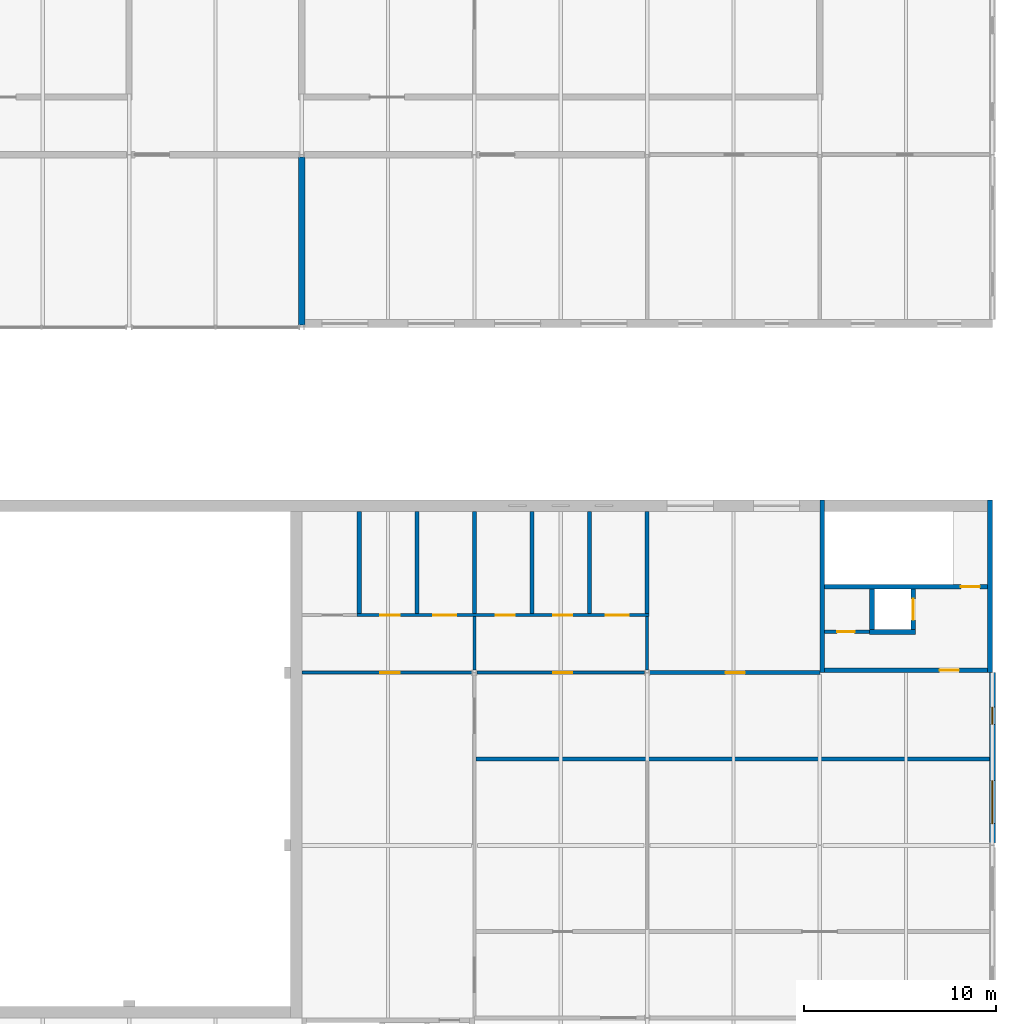
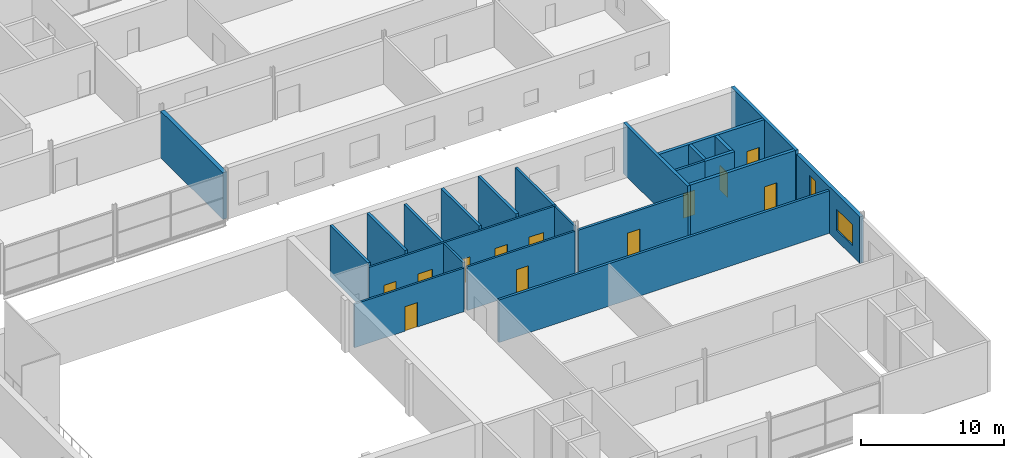
# One storey, part 129 of 138: 23 walls, 12 doors, 2 windows, 14 openings.
"""IFC4 building model written with IfcOpenShell, lengths in metres."""

from ifc_helpers import new_model, si_unit, direction, frame, frame_2d, origin, place, context, subcontext, project, spatial, rectangle, extrude, material, layer, layer_set, type_object, element, fill, save


model = new_model("IFC4")

# Units and contexts
model_context = context("Model", 3, precision=1e-05, world=origin(), true_north=direction((0.0, 1.0)))
body_context = subcontext(model_context, "Body", "Model", "MODEL_VIEW")
ifc_project = project(units=[si_unit("LENGTHUNIT", "METRE"), si_unit("AREAUNIT", "SQUARE_METRE"), si_unit("VOLUMEUNIT", "CUBIC_METRE"), si_unit("PLANEANGLEUNIT", "RADIAN"), si_unit("MASSUNIT", "GRAM", prefix="KILO")], contexts=[model_context])

# Site, building, storey
site_placement = place(None, origin())
site = spatial("IfcSite", under=ifc_project, at=site_placement, CompositionType="ELEMENT")
building_placement = place(site_placement, origin())
building = spatial("IfcBuilding", under=site, at=building_placement, Name="Corbel Yard City Hall", CompositionType="ELEMENT")
storey_placement = place(building_placement, frame((0.0, 0.0, 10.5)))
storey = spatial("IfcBuildingStorey", under=building, at=storey_placement, Name="L02", CompositionType="ELEMENT", Elevation=10.5)

# Walls
ifc_material_1 = material(Name="Concrete N50 (50 MPa)", Category="concrete")
ifc_layer_1 = layer(ifc_material_1, 0.25)
ifc_layer_set_1 = layer_set([ifc_layer_1], Name="Concrete N50 (50 MPa)")
wall_type_1 = type_object("IfcWallType", Name="Core cell wall 250", PredefinedType="SHEAR", material=ifc_layer_set_1)
for number, where, z_axis, x_axis, name in (
    (1, (171.125, 72.0, 0.0), (0.0, 0.0, 1.0), (0.0, 1.0, 0.0), "Core PC-M8 west wall"),
    (2, (179.875, 72.0, 0.0), (0.0, 0.0, 1.0), (0.0, 1.0, 0.0), "Core PC-M8 east wall"),
):
    element("IfcWall", number, at=place(storey_placement, frame(where, z_axis=z_axis, x_axis=x_axis)), inside=storey, type_object=wall_type_1, Name=name, PredefinedType="SHEAR", context=body_context, shape_type="SweptSolid", body=[
        extrude(rectangle(XDim=9.0, YDim=0.25, at=frame_2d((4.5, 0.0))), origin(), (0.0, 0.0, 1.0), 4.35009765625),
    ])

# Wall, opening, door
wall_1_placement = place(storey_placement, frame((171.25, 72.125, 0.0), z_axis=(0.0, 0.0, 1.0), x_axis=(1.0, 0.0, 0.0)))
wall_1 = element("IfcWall", 3, at=wall_1_placement, inside=storey, type_object=wall_type_1, Name="Core PC-M8 south wall", PredefinedType="SHEAR", context=body_context, shape_type="SweptSolid", body=[
    extrude(rectangle(XDim=8.5, YDim=0.25, at=frame_2d((4.25, 0.0))), origin(), (0.0, 0.0, 1.0), 4.35009765625),
])
opening_1_placement = place(wall_1_placement, frame((6.0, 0.0, 0.0)))
opening_1 = element("IfcOpeningElement", 4, at=opening_1_placement, cuts=wall_1, Name="Opening L02-109", PredefinedType="OPENING", context=body_context, shape_type="SweptSolid", body=[
    extrude(rectangle(XDim=1.0, YDim=2.10009765625, at=frame_2d((0.5, 1.050048828125))), frame((0.0, 0.135009765625, 0.0), z_axis=(0.0, -1.0, 0.0), x_axis=(1.0, 0.0, 0.0)), (0.0, 0.0, 1.0), 0.27001953125),
])
ifc_material_2 = material(Name="Steel Grade G250", Category="steel")
door_type_1 = type_object("IfcDoorType", Name="FS1", OperationType="SINGLE_SWING_LEFT", PredefinedType="DOOR", material=ifc_material_2)
door_1_placement = place(opening_1_placement, origin())
door_1 = element("IfcDoor", 5, at=door_1_placement, inside=storey, type_object=door_type_1, Name="Door Lift Lobby", OperationType="SINGLE_SWING_RIGHT", OverallHeight=2.10009765625, OverallWidth=1.0, PredefinedType="DOOR", context=body_context, shape_type="SweptSolid", body=[
    extrude(rectangle(XDim=1.0, YDim=2.10009765625, at=frame_2d((0.5, 1.050048828125))), frame((0.0, 0.02490234375, 0.0), z_axis=(0.0, -1.0, 0.0), x_axis=(1.0, 0.0, 0.0)), (0.0, 0.0, 1.0), 0.050048828125),
])
fill(opening_1, door_1)

# Wall, openings, windows
ifc_material_3 = material(Name="Sandstone cladding", Category="masonry")
ifc_layer_2 = layer(ifc_material_3, 0.0400390625)
ifc_material_4 = material(Name="Air cavity", Category="air")
ifc_layer_3 = layer(ifc_material_4, 0.0400390625)
ifc_material_5 = material(Name="Concrete block", Category="concrete")
ifc_layer_4 = layer(ifc_material_5, 0.18994140625)
ifc_material_6 = material(Name="Gypsum plasterboard", Category="gypsum")
ifc_layer_5 = layer(ifc_material_6, 0.030029296875)
ifc_layer_set_2 = layer_set([ifc_layer_2, ifc_layer_3, ifc_layer_4, ifc_layer_5], Name="Concrete block")
wall_type_2 = type_object("IfcWallType", Name="EW1", PredefinedType="SOLIDWALL", material=ifc_layer_set_2)
wall_2_placement = place(storey_placement, frame((180.0, 63.126953125, 0.0), z_axis=(0.0, 0.0, 1.0), x_axis=(0.0, 1.0, 0.0)))
wall_2 = element("IfcWall", 6, at=wall_2_placement, inside=storey, type_object=wall_type_2, Name="External wall", PredefinedType="SOLIDWALL", context=body_context, shape_type="SweptSolid", body=[
    extrude(rectangle(XDim=8.873046875, YDim=0.300048828125, at=frame_2d((4.4365234375, 0.0))), origin(), (0.0, 0.0, 1.0), 3.990966796875),
])
opening_2_placement = place(wall_2_placement, frame((0.998046875, 0.0, 0.89990234375)))
opening_2 = element("IfcOpeningElement", 7, at=opening_2_placement, cuts=wall_2, Name="Opening WN15", PredefinedType="OPENING", context=body_context, shape_type="SweptSolid", body=[
    extrude(rectangle(XDim=2.25, YDim=1.800048828125, at=frame_2d((1.125, 0.89990234375))), frame((0.0, 0.159912109375, 0.0), z_axis=(0.0, -1.0, 0.0), x_axis=(1.0, 0.0, 0.0)), (0.0, 0.0, 1.0), 0.320068359375),
])
opening_3_placement = place(wall_2_placement, frame((6.173095703125, 0.0, 0.60009765625)))
opening_3 = element("IfcOpeningElement", 8, at=opening_3_placement, cuts=wall_2, Name="Opening WN14", PredefinedType="OPENING", context=body_context, shape_type="SweptSolid", body=[
    extrude(rectangle(XDim=0.89990234375, YDim=2.699951171875, at=frame_2d((0.449951171875, 1.35009765625))), frame((0.0, 0.159912109375, 0.0), z_axis=(0.0, -1.0, 0.0), x_axis=(1.0, 0.0, 0.0)), (0.0, 0.0, 1.0), 0.320068359375),
])
ifc_material_7 = material(Name="Aluminium frame, double glazed low-e glass", Category="aluminium")
window_type_1 = type_object("IfcWindowType", Name="WN14", PartitioningType="SINGLE_PANEL", PredefinedType="WINDOW", material=ifc_material_7)
window_1_placement = place(opening_3_placement, origin())
window_1 = element("IfcWindow", 9, at=window_1_placement, inside=storey, type_object=window_type_1, Name="Window WN14 L02", OverallHeight=2.699951171875, OverallWidth=0.89990234375, PartitioningType="SINGLE_PANEL", PredefinedType="WINDOW", context=body_context, shape_type="SweptSolid", body=[
    extrude(rectangle(XDim=0.89990234375, YDim=2.699951171875, at=frame_2d((0.449951171875, 1.35009765625))), frame((0.0, 0.030029296875, 0.0), z_axis=(0.0, -1.0, 0.0), x_axis=(1.0, 0.0, 0.0)), (0.0, 0.0, 1.0), 0.06005859375),
])
fill(opening_3, window_1)
window_type_2 = type_object("IfcWindowType", Name="WN15", PartitioningType="SINGLE_PANEL", PredefinedType="WINDOW", material=ifc_material_7)
window_2_placement = place(opening_2_placement, origin())
window_2 = element("IfcWindow", 10, at=window_2_placement, inside=storey, type_object=window_type_2, Name="Window WN15 L02", OverallHeight=1.800048828125, OverallWidth=2.25, PartitioningType="SINGLE_PANEL", PredefinedType="WINDOW", context=body_context, shape_type="SweptSolid", body=[
    extrude(rectangle(XDim=2.25, YDim=1.800048828125, at=frame_2d((1.125, 0.89990234375))), frame((0.0, 0.030029296875, 0.0), z_axis=(0.0, -1.0, 0.0), x_axis=(1.0, 0.0, 0.0)), (0.0, 0.0, 1.0), 0.06005859375),
])
fill(opening_2, window_2)

# Wall, opening, door
ifc_material_8 = material(Name="Concrete N40 (40 MPa)", Category="concrete")
ifc_layer_6 = layer(ifc_material_8, 0.25)
ifc_layer_set_3 = layer_set([ifc_layer_6], Name="Concrete N40 (40 MPa)")
wall_type_3 = type_object("IfcWallType", Name="IW2", PredefinedType="SOLIDWALL", material=ifc_layer_set_3)
wall_3_placement = place(storey_placement, frame((179.75, 76.47509765625, 0.0), z_axis=(0.0, 0.0, 1.0), x_axis=(-1.0, 0.0, 0.0)))
wall_3 = element("IfcWall", 11, at=wall_3_placement, inside=storey, type_object=wall_type_3, Name="Stair enclosure wall", PredefinedType="SOLIDWALL", context=body_context, shape_type="SweptSolid", body=[
    extrude(rectangle(XDim=8.5, YDim=0.25, at=frame_2d((4.25, 0.0))), origin(), (0.0, 0.0, 1.0), 4.35009765625),
])
opening_4_placement = place(wall_3_placement, frame((0.39990234375, 0.0, 0.0)))
opening_4 = element("IfcOpeningElement", 12, at=opening_4_placement, cuts=wall_3, Name="Opening L02-108", PredefinedType="OPENING", context=body_context, shape_type="SweptSolid", body=[
    extrude(rectangle(XDim=1.0, YDim=2.10009765625, at=frame_2d((0.5, 1.050048828125))), frame((0.0, 0.135009765625, 0.0), z_axis=(0.0, -1.0, 0.0), x_axis=(1.0, 0.0, 0.0)), (0.0, 0.0, 1.0), 0.27001953125),
])
door_2_placement = place(opening_4_placement, frame((1.0, 0.0, 0.0), z_axis=(0.0, 0.0, 1.0), x_axis=(-1.0, 0.0, 0.0)))
door_2 = element("IfcDoor", 13, at=door_2_placement, inside=storey, type_object=door_type_1, Name="Door Exit Stair 15", OperationType="SINGLE_SWING_RIGHT", OverallHeight=2.10009765625, OverallWidth=1.0, PredefinedType="DOOR", context=body_context, shape_type="SweptSolid", body=[
    extrude(rectangle(XDim=1.0, YDim=2.10009765625, at=frame_2d((0.5, 1.050048828125))), frame((0.0, 0.02490234375, 0.0), z_axis=(0.0, -1.0, 0.0), x_axis=(1.0, 0.0, 0.0)), (0.0, 0.0, 1.0), 0.050048828125),
])
fill(opening_4, door_2)

# Walls
wall_4_placement = place(storey_placement, frame((173.60009765625, 74.125, 0.0), z_axis=(0.0, 0.0, 1.0), x_axis=(1.0, 0.0, 0.0)))
element("IfcWall", 14, at=wall_4_placement, inside=storey, type_object=wall_type_3, Name="Lift LP15 shaft wall", PredefinedType="SOLIDWALL", context=body_context, shape_type="SweptSolid", body=[
    extrude(rectangle(XDim=2.39990234375, YDim=0.25, at=frame_2d((1.199951171875, 0.0))), origin(), (0.0, 0.0, 1.0), 4.35009765625),
])
wall_5_placement = place(storey_placement, frame((173.72509765625, 74.25, 0.0), z_axis=(0.0, 0.0, 1.0), x_axis=(0.0, 1.0, 0.0)))
element("IfcWall", 15, at=wall_5_placement, inside=storey, type_object=wall_type_3, Name="Lift LP15 shaft wall", PredefinedType="SOLIDWALL", context=body_context, shape_type="SweptSolid", body=[
    extrude(rectangle(XDim=2.10009765625, YDim=0.25, at=frame_2d((1.050048828125, 0.0))), origin(), (0.0, 0.0, 1.0), 4.35009765625),
])

# Wall, opening, door
wall_6_placement = place(storey_placement, frame((175.875, 74.25, 0.0), z_axis=(0.0, 0.0, 1.0), x_axis=(0.0, 1.0, 0.0)))
wall_6 = element("IfcWall", 16, at=wall_6_placement, inside=storey, type_object=wall_type_3, Name="Lift LP15 shaft wall", PredefinedType="SOLIDWALL", context=body_context, shape_type="SweptSolid", body=[
    extrude(rectangle(XDim=2.10009765625, YDim=0.25, at=frame_2d((1.050048828125, 0.0))), origin(), (0.0, 0.0, 1.0), 4.35009765625),
])
opening_5_placement = place(wall_6_placement, frame((0.5, 0.0, 0.0)))
opening_5 = element("IfcOpeningElement", 17, at=opening_5_placement, cuts=wall_6, Name="Opening L02-055", PredefinedType="OPENING", context=body_context, shape_type="SweptSolid", body=[
    extrude(rectangle(XDim=1.10009765625, YDim=2.10009765625, at=frame_2d((0.550048828125, 1.050048828125))), frame((0.0, 0.135009765625, 0.0), z_axis=(0.0, -1.0, 0.0), x_axis=(1.0, 0.0, 0.0)), (0.0, 0.0, 1.0), 0.27001953125),
])
ifc_material_9 = material(Name="Stainless steel Grade 316", Category="steel")
door_type_2 = type_object("IfcDoorType", Name="LD1", OperationType="DOUBLE_DOOR_SLIDING", PredefinedType="DOOR", material=ifc_material_9)
door_3_placement = place(opening_5_placement, origin())
door_3 = element("IfcDoor", 18, at=door_3_placement, inside=storey, type_object=door_type_2, Name="Lift LP15 landing door", OperationType="DOUBLE_DOOR_SLIDING", OverallHeight=2.10009765625, OverallWidth=1.10009765625, PredefinedType="DOOR", context=body_context, shape_type="SweptSolid", body=[
    extrude(rectangle(XDim=1.10009765625, YDim=2.10009765625, at=frame_2d((0.550048828125, 1.050048828125))), frame((0.0, 0.02490234375, 0.0), z_axis=(0.0, -1.0, 0.0), x_axis=(1.0, 0.0, 0.0)), (0.0, 0.0, 1.0), 0.050048828125),
])
fill(opening_5, door_3)

# Wall
ifc_layer_7 = layer(ifc_material_6, 0.031982421875)
ifc_material_10 = material(Name="Steel Grade G550 (550 MPa yield)", Category="steel")
ifc_layer_8 = layer(ifc_material_10, 0.135986328125)
ifc_layer_9 = layer(ifc_material_6, 0.031982421875)
ifc_layer_set_4 = layer_set([ifc_layer_7, ifc_layer_8, ifc_layer_9], Name="Steel Grade G550 (550 MPa yield)")
wall_type_4 = type_object("IfcWallType", Name="PT2", PredefinedType="PARTITIONING", material=ifc_layer_set_4)
wall_7_placement = place(storey_placement, frame((153.080078125, 67.5, 0.0), z_axis=(0.0, 0.0, 1.0), x_axis=(1.0, 0.0, 0.0)))
element("IfcWall", 19, at=wall_7_placement, inside=storey, type_object=wall_type_4, Name="Acoustic wall", PredefinedType="PARTITIONING", context=body_context, shape_type="SweptSolid", body=[
    extrude(rectangle(XDim=26.77001953125, YDim=0.199951171875, at=frame_2d((13.385009765625, 0.0))), origin(), (0.0, 0.0, 1.0), 3.64990234375),
])

# Wall, opening, door
wall_8_placement = place(storey_placement, frame((162.1298828125, 72.0, 0.0), z_axis=(0.0, 0.0, 1.0), x_axis=(1.0, 0.0, 0.0)))
wall_8 = element("IfcWall", 20, at=wall_8_placement, inside=storey, type_object=wall_type_4, Name="Acoustic wall", PredefinedType="PARTITIONING", context=body_context, shape_type="SweptSolid", body=[
    extrude(rectangle(XDim=8.8701171875, YDim=0.199951171875, at=frame_2d((4.43505859375, 0.0))), origin(), (0.0, 0.0, 1.0), 3.738037109375),
])
opening_6_placement = place(wall_8_placement, frame((3.969970703125, 0.0, 0.0)))
opening_6 = element("IfcOpeningElement", 21, at=opening_6_placement, cuts=wall_8, Name="Opening L02-120", PredefinedType="OPENING", context=body_context, shape_type="SweptSolid", body=[
    extrude(rectangle(XDim=1.0, YDim=2.10009765625, at=frame_2d((0.5, 1.050048828125))), frame((0.0, 0.10986328125, 0.0), z_axis=(0.0, -1.0, 0.0), x_axis=(1.0, 0.0, 0.0)), (0.0, 0.0, 1.0), 0.219970703125),
])
ifc_material_11 = material(Name="Timber", Category="wood")
door_type_3 = type_object("IfcDoorType", Name="D1", OperationType="SINGLE_SWING_LEFT", PredefinedType="DOOR", material=ifc_material_11)
door_4_placement = place(opening_6_placement, origin())
door_4 = element("IfcDoor", 22, at=door_4_placement, inside=storey, type_object=door_type_3, Name="Door Briefing Room 11", OperationType="SINGLE_SWING_RIGHT", OverallHeight=2.10009765625, OverallWidth=1.0, PredefinedType="DOOR", context=body_context, shape_type="SweptSolid", body=[
    extrude(rectangle(XDim=1.0, YDim=2.10009765625, at=frame_2d((0.5, 1.050048828125))), frame((0.0, 0.02490234375, 0.0), z_axis=(0.0, -1.0, 0.0), x_axis=(1.0, 0.0, 0.0)), (0.0, 0.0, 1.0), 0.050048828125),
])
fill(opening_6, door_4)

# Walls
wall_9_placement = place(storey_placement, frame((162.0, 75.080078125, 0.0), z_axis=(0.0, 0.0, 1.0), x_axis=(0.0, 1.0, 0.0)))
element("IfcWall", 23, at=wall_9_placement, inside=storey, type_object=wall_type_4, Name="Acoustic wall", PredefinedType="PARTITIONING", context=body_context, shape_type="SweptSolid", body=[
    extrude(rectangle(XDim=5.31982421875, YDim=0.199951171875, at=frame_2d((2.659912109375, 0.0))), origin(), (0.0, 0.0, 1.0), 4.04296875),
])
ifc_layer_10 = layer(ifc_material_6, 0.031982421875)
ifc_layer_11 = layer(ifc_material_10, 0.260986328125)
ifc_layer_12 = layer(ifc_material_6, 0.031982421875)
ifc_layer_set_5 = layer_set([ifc_layer_10, ifc_layer_11, ifc_layer_12], Name="Steel Grade G550 (550 MPa yield)")
wall_type_5 = type_object("IfcWallType", Name="PT20", PredefinedType="PARTITIONING", material=ifc_layer_set_5)
wall_10_placement = place(storey_placement, frame((144.0, 90.126953125, 0.0), z_axis=(0.0, 0.0, 1.0), x_axis=(0.0, 1.0, 0.0)))
element("IfcWall", 24, at=wall_10_placement, inside=storey, type_object=wall_type_5, Name="Acoustic partition", PredefinedType="PARTITIONING", context=body_context, shape_type="SweptSolid", body=[
    extrude(rectangle(XDim=8.7431640625, YDim=0.324951171875, at=frame_2d((4.37158203125, 0.0))), origin(), (0.0, 0.0, 1.0), 3.998046875),
])

# Wall, opening, door
ifc_layer_13 = layer(ifc_material_6, 0.031982421875)
ifc_layer_14 = layer(ifc_material_10, 0.095947265625)
ifc_layer_15 = layer(ifc_material_6, 0.031982421875)
ifc_layer_set_6 = layer_set([ifc_layer_13, ifc_layer_14, ifc_layer_15], Name="Steel Grade G550 (550 MPa yield)")
wall_type_6 = type_object("IfcWallType", Name="PT3", PredefinedType="PARTITIONING", material=ifc_layer_set_6)
wall_11_placement = place(storey_placement, frame((144.0, 72.0, 0.0), z_axis=(0.0, 0.0, 1.0), x_axis=(1.0, 0.0, 0.0)))
wall_11 = element("IfcWall", 25, at=wall_11_placement, inside=storey, type_object=wall_type_6, Name="Fire-resisting wall", PredefinedType="PARTITIONING", context=body_context, shape_type="SweptSolid", body=[
    extrude(rectangle(XDim=8.8701171875, YDim=0.159912109375, at=frame_2d((4.43505859375, 0.0))), origin(), (0.0, 0.0, 1.0), 3.738037109375),
])
opening_7_placement = place(wall_11_placement, frame((4.10009765625, 0.0, 0.0)))
opening_7 = element("IfcOpeningElement", 26, at=opening_7_placement, cuts=wall_11, Name="Opening L02-099", PredefinedType="OPENING", context=body_context, shape_type="SweptSolid", body=[
    extrude(rectangle(XDim=1.0, YDim=2.10009765625, at=frame_2d((0.5, 1.050048828125))), frame((0.0, 0.08984375, 0.0), z_axis=(0.0, -1.0, 0.0), x_axis=(1.0, 0.0, 0.0)), (0.0, 0.0, 1.0), 0.179931640625),
])
door_type_4 = type_object("IfcDoorType", Name="FD1", OperationType="SINGLE_SWING_LEFT", PredefinedType="DOOR", material=ifc_material_2)
door_5_placement = place(opening_7_placement, origin())
door_5 = element("IfcDoor", 27, at=door_5_placement, inside=storey, type_object=door_type_4, Name="Door WC Lobby", OperationType="SINGLE_SWING_RIGHT", OverallHeight=2.10009765625, OverallWidth=1.0, PredefinedType="DOOR", context=body_context, shape_type="SweptSolid", body=[
    extrude(rectangle(XDim=1.0, YDim=2.10009765625, at=frame_2d((0.5, 1.050048828125))), frame((0.0, 0.02490234375, 0.0), z_axis=(0.0, -1.0, 0.0), x_axis=(1.0, 0.0, 0.0)), (0.0, 0.0, 1.0), 0.050048828125),
])
fill(opening_7, door_5)

wall_12_placement = place(storey_placement, frame((153.1298828125, 72.0, 0.0), z_axis=(0.0, 0.0, 1.0), x_axis=(1.0, 0.0, 0.0)))
wall_12 = element("IfcWall", 28, at=wall_12_placement, inside=storey, type_object=wall_type_6, Name="Fire-resisting wall", PredefinedType="PARTITIONING", context=body_context, shape_type="SweptSolid", body=[
    extrude(rectangle(XDim=8.740234375, YDim=0.159912109375, at=frame_2d((4.3701171875, 0.0))), origin(), (0.0, 0.0, 1.0), 3.738037109375),
])
opening_8_placement = place(wall_12_placement, frame((3.969970703125, 0.0, 0.0)))
opening_8 = element("IfcOpeningElement", 29, at=opening_8_placement, cuts=wall_12, Name="Opening L02-116", PredefinedType="OPENING", context=body_context, shape_type="SweptSolid", body=[
    extrude(rectangle(XDim=1.0, YDim=2.10009765625, at=frame_2d((0.5, 1.050048828125))), frame((0.0, 0.08984375, 0.0), z_axis=(0.0, -1.0, 0.0), x_axis=(1.0, 0.0, 0.0)), (0.0, 0.0, 1.0), 0.179931640625),
])
door_6_placement = place(opening_8_placement, origin())
door_6 = element("IfcDoor", 30, at=door_6_placement, inside=storey, type_object=door_type_4, Name="Door WC Lobby", OperationType="SINGLE_SWING_RIGHT", OverallHeight=2.10009765625, OverallWidth=1.0, PredefinedType="DOOR", context=body_context, shape_type="SweptSolid", body=[
    extrude(rectangle(XDim=1.0, YDim=2.10009765625, at=frame_2d((0.5, 1.050048828125))), frame((0.0, 0.02490234375, 0.0), z_axis=(0.0, -1.0, 0.0), x_axis=(1.0, 0.0, 0.0)), (0.0, 0.0, 1.0), 0.050048828125),
])
fill(opening_8, door_6)

# Wall, openings, doors
wall_13_placement = place(storey_placement, frame((146.889892578125, 75.0, 0.0), z_axis=(0.0, 0.0, 1.0), x_axis=(1.0, 0.0, 0.0)))
wall_13 = element("IfcWall", 31, at=wall_13_placement, inside=storey, type_object=wall_type_6, Name="Fire-resisting wall", PredefinedType="PARTITIONING", context=body_context, shape_type="SweptSolid", body=[
    extrude(rectangle(XDim=15.210205078125, YDim=0.159912109375, at=frame_2d((7.60498046875, 0.0))), origin(), (0.0, 0.0, 1.0), 4.04296875),
])
opening_9_placement = place(wall_13_placement, frame((1.2099609375, 0.0, 0.0)))
opening_9 = element("IfcOpeningElement", 32, at=opening_9_placement, cuts=wall_13, Name="Opening L02-101", PredefinedType="OPENING", context=body_context, shape_type="SweptSolid", body=[
    extrude(rectangle(XDim=1.0, YDim=2.10009765625, at=frame_2d((0.5, 1.050048828125))), frame((0.0, 0.08984375, 0.0), z_axis=(0.0, -1.0, 0.0), x_axis=(1.0, 0.0, 0.0)), (0.0, 0.0, 1.0), 0.179931640625),
])
opening_10_placement = place(wall_13_placement, frame((3.9599609375, 0.0, 0.0)))
opening_10 = element("IfcOpeningElement", 33, at=opening_10_placement, cuts=wall_13, Name="Opening L02-102", PredefinedType="OPENING", context=body_context, shape_type="SweptSolid", body=[
    extrude(rectangle(XDim=1.199951171875, YDim=2.10009765625, at=frame_2d((0.60009765625, 1.050048828125))), frame((0.0, 0.08984375, 0.0), z_axis=(0.0, -1.0, 0.0), x_axis=(1.0, 0.0, 0.0)), (0.0, 0.0, 1.0), 0.179931640625),
])
opening_11_placement = place(wall_13_placement, frame((7.2099609375, 0.0, 0.0)))
opening_11 = element("IfcOpeningElement", 34, at=opening_11_placement, cuts=wall_13, Name="Opening L02-117", PredefinedType="OPENING", context=body_context, shape_type="SweptSolid", body=[
    extrude(rectangle(XDim=1.0, YDim=2.10009765625, at=frame_2d((0.5, 1.050048828125))), frame((0.0, 0.08984375, 0.0), z_axis=(0.0, -1.0, 0.0), x_axis=(1.0, 0.0, 0.0)), (0.0, 0.0, 1.0), 0.179931640625),
])
opening_12_placement = place(wall_13_placement, frame((10.2099609375, 0.0, 0.0)))
opening_12 = element("IfcOpeningElement", 35, at=opening_12_placement, cuts=wall_13, Name="Opening L02-118", PredefinedType="OPENING", context=body_context, shape_type="SweptSolid", body=[
    extrude(rectangle(XDim=1.0, YDim=2.10009765625, at=frame_2d((0.5, 1.050048828125))), frame((0.0, 0.08984375, 0.0), z_axis=(0.0, -1.0, 0.0), x_axis=(1.0, 0.0, 0.0)), (0.0, 0.0, 1.0), 0.179931640625),
])
opening_13_placement = place(wall_13_placement, frame((12.9599609375, 0.0, 0.0)))
opening_13 = element("IfcOpeningElement", 36, at=opening_13_placement, cuts=wall_13, Name="Opening L02-119", PredefinedType="OPENING", context=body_context, shape_type="SweptSolid", body=[
    extrude(rectangle(XDim=1.199951171875, YDim=2.10009765625, at=frame_2d((0.60009765625, 1.050048828125))), frame((0.0, 0.08984375, 0.0), z_axis=(0.0, -1.0, 0.0), x_axis=(1.0, 0.0, 0.0)), (0.0, 0.0, 1.0), 0.179931640625),
])
door_7_placement = place(opening_9_placement, origin())
door_7 = element("IfcDoor", 37, at=door_7_placement, inside=storey, type_object=door_type_4, Name="Door Men's WC", OperationType="SINGLE_SWING_RIGHT", OverallHeight=2.10009765625, OverallWidth=1.0, PredefinedType="DOOR", context=body_context, shape_type="SweptSolid", body=[
    extrude(rectangle(XDim=1.0, YDim=2.10009765625, at=frame_2d((0.5, 1.050048828125))), frame((0.0, 0.02490234375, 0.0), z_axis=(0.0, -1.0, 0.0), x_axis=(1.0, 0.0, 0.0)), (0.0, 0.0, 1.0), 0.050048828125),
])
fill(opening_9, door_7)
door_8_placement = place(opening_11_placement, origin())
door_8 = element("IfcDoor", 38, at=door_8_placement, inside=storey, type_object=door_type_4, Name="Door Women's WC", OperationType="SINGLE_SWING_RIGHT", OverallHeight=2.10009765625, OverallWidth=1.0, PredefinedType="DOOR", context=body_context, shape_type="SweptSolid", body=[
    extrude(rectangle(XDim=1.0, YDim=2.10009765625, at=frame_2d((0.5, 1.050048828125))), frame((0.0, 0.02490234375, 0.0), z_axis=(0.0, -1.0, 0.0), x_axis=(1.0, 0.0, 0.0)), (0.0, 0.0, 1.0), 0.050048828125),
])
fill(opening_11, door_8)
door_9_placement = place(opening_12_placement, origin())
door_9 = element("IfcDoor", 39, at=door_9_placement, inside=storey, type_object=door_type_4, Name="Door Men's WC", OperationType="SINGLE_SWING_RIGHT", OverallHeight=2.10009765625, OverallWidth=1.0, PredefinedType="DOOR", context=body_context, shape_type="SweptSolid", body=[
    extrude(rectangle(XDim=1.0, YDim=2.10009765625, at=frame_2d((0.5, 1.050048828125))), frame((0.0, 0.02490234375, 0.0), z_axis=(0.0, -1.0, 0.0), x_axis=(1.0, 0.0, 0.0)), (0.0, 0.0, 1.0), 0.050048828125),
])
fill(opening_12, door_9)
door_type_5 = type_object("IfcDoorType", Name="FD7", OperationType="SINGLE_SWING_LEFT", PredefinedType="DOOR", material=ifc_material_2)
door_10_placement = place(opening_10_placement, origin())
door_10 = element("IfcDoor", 40, at=door_10_placement, inside=storey, type_object=door_type_5, Name="Door Accessible WC", OperationType="SINGLE_SWING_LEFT", OverallHeight=2.10009765625, OverallWidth=1.199951171875, PredefinedType="DOOR", context=body_context, shape_type="SweptSolid", body=[
    extrude(rectangle(XDim=1.199951171875, YDim=2.10009765625, at=frame_2d((0.60009765625, 1.050048828125))), frame((0.0, 0.02490234375, 0.0), z_axis=(0.0, -1.0, 0.0), x_axis=(1.0, 0.0, 0.0)), (0.0, 0.0, 1.0), 0.050048828125),
])
fill(opening_10, door_10)
door_11_placement = place(opening_13_placement, origin())
door_11 = element("IfcDoor", 41, at=door_11_placement, inside=storey, type_object=door_type_5, Name="Door Accessible WC", OperationType="SINGLE_SWING_LEFT", OverallHeight=2.10009765625, OverallWidth=1.199951171875, PredefinedType="DOOR", context=body_context, shape_type="SweptSolid", body=[
    extrude(rectangle(XDim=1.199951171875, YDim=2.10009765625, at=frame_2d((0.60009765625, 1.050048828125))), frame((0.0, 0.02490234375, 0.0), z_axis=(0.0, -1.0, 0.0), x_axis=(1.0, 0.0, 0.0)), (0.0, 0.0, 1.0), 0.050048828125),
])
fill(opening_13, door_11)

# Walls
for number, where, z_axis, x_axis, name in (
    (42, (153.0, 72.1298828125, 0.0), (0.0, 0.0, 1.0), (0.0, 1.0, 0.0), "Fire-resisting wall"),
    (43, (162.0, 72.1298828125, 0.0), (0.0, 0.0, 1.0), (0.0, 1.0, 0.0), "Fire-resisting wall"),
):
    element("IfcWall", number, at=place(storey_placement, frame(where, z_axis=z_axis, x_axis=x_axis)), inside=storey, type_object=wall_type_6, Name=name, PredefinedType="PARTITIONING", context=body_context, shape_type="SweptSolid", body=[
        extrude(rectangle(XDim=2.7900390625, YDim=0.159912109375, at=frame_2d((1.39501953125, 0.0))), origin(), (0.0, 0.0, 1.0), 4.04296875),
    ])

# Wall, opening, door
ifc_material_12 = material(Name="Concrete block", Category="concrete")
ifc_layer_16 = layer(ifc_material_12, 0.18994140625)
ifc_layer_set_7 = layer_set([ifc_layer_16], Name="Concrete block")
wall_type_7 = type_object("IfcWallType", Name="PT4", PredefinedType="PARTITIONING", material=ifc_layer_set_7)
wall_14_placement = place(storey_placement, frame((171.25, 74.125, 0.0), z_axis=(0.0, 0.0, 1.0), x_axis=(1.0, 0.0, 0.0)))
wall_14 = element("IfcWall", 44, at=wall_14_placement, inside=storey, type_object=wall_type_7, Name="Fire-resisting block wall", PredefinedType="PARTITIONING", context=body_context, shape_type="SweptSolid", body=[
    extrude(rectangle(XDim=2.35009765625, YDim=0.18994140625, at=frame_2d((1.175048828125, 0.0))), origin(), (0.0, 0.0, 1.0), 4.35009765625),
])
opening_14_placement = place(wall_14_placement, frame((0.652587890625, 0.0, 0.0)))
opening_14 = element("IfcOpeningElement", 45, at=opening_14_placement, cuts=wall_14, Name="Opening L02-110", PredefinedType="OPENING", context=body_context, shape_type="SweptSolid", body=[
    extrude(rectangle(XDim=0.919921875, YDim=2.10009765625, at=frame_2d((0.4599609375, 1.050048828125))), frame((0.0, 0.10498046875, 0.0), z_axis=(0.0, -1.0, 0.0), x_axis=(1.0, 0.0, 0.0)), (0.0, 0.0, 1.0), 0.2099609375),
])
door_type_6 = type_object("IfcDoorType", Name="FS5", OperationType="SINGLE_SWING_RIGHT", PredefinedType="DOOR", material=ifc_material_2)
door_12_placement = place(opening_14_placement, origin())
door_12 = element("IfcDoor", 46, at=door_12_placement, inside=storey, type_object=door_type_6, Name="Door Service Riser", OperationType="SINGLE_SWING_LEFT", OverallHeight=2.10009765625, OverallWidth=0.919921875, PredefinedType="DOOR", context=body_context, shape_type="SweptSolid", body=[
    extrude(rectangle(XDim=0.919921875, YDim=2.10009765625, at=frame_2d((0.4599609375, 1.050048828125))), frame((0.0, 0.02490234375, 0.0), z_axis=(0.0, -1.0, 0.0), x_axis=(1.0, 0.0, 0.0)), (0.0, 0.0, 1.0), 0.050048828125),
])
fill(opening_14, door_12)

# Walls
ifc_layer_17 = layer(ifc_material_6, 0.031982421875)
ifc_layer_18 = layer(ifc_material_10, 0.156005859375)
ifc_layer_19 = layer(ifc_material_6, 0.031982421875)
ifc_layer_set_8 = layer_set([ifc_layer_17, ifc_layer_18, ifc_layer_19], Name="Steel Grade G550 (550 MPa yield)")
wall_type_8 = type_object("IfcWallType", Name="PT5", PredefinedType="PLUMBINGWALL", material=ifc_layer_set_8)
for number, where, z_axis, x_axis, name in (
    (47, (147.0, 75.080078125, 0.0), (0.0, 0.0, 1.0), (0.0, 1.0, 0.0), "Wet wall"),
    (48, (150.0, 75.080078125, 0.0), (0.0, 0.0, 1.0), (0.0, 1.0, 0.0), "Wet wall"),
):
    element("IfcWall", number, at=place(storey_placement, frame(where, z_axis=z_axis, x_axis=x_axis)), inside=storey, type_object=wall_type_8, Name=name, PredefinedType="PLUMBINGWALL", context=body_context, shape_type="SweptSolid", body=[
        extrude(rectangle(XDim=5.31982421875, YDim=0.219970703125, at=frame_2d((2.659912109375, 0.0))), origin(), (0.0, 0.0, 1.0), 4.35009765625),
    ])
wall_15_placement = place(storey_placement, frame((153.0, 75.080078125, 0.0), z_axis=(0.0, 0.0, 1.0), x_axis=(0.0, 1.0, 0.0)))
element("IfcWall", 49, at=wall_15_placement, inside=storey, type_object=wall_type_8, Name="Wet wall", PredefinedType="PLUMBINGWALL", context=body_context, shape_type="SweptSolid", body=[
    extrude(rectangle(XDim=5.31982421875, YDim=0.219970703125, at=frame_2d((2.659912109375, 0.0))), origin(), (0.0, 0.0, 1.0), 4.04296875),
])
for number, where, z_axis, x_axis, name in (
    (50, (156.0, 75.080078125, 0.0), (0.0, 0.0, 1.0), (0.0, 1.0, 0.0), "Wet wall"),
    (51, (159.0, 75.080078125, 0.0), (0.0, 0.0, 1.0), (0.0, 1.0, 0.0), "Wet wall"),
):
    element("IfcWall", number, at=place(storey_placement, frame(where, z_axis=z_axis, x_axis=x_axis)), inside=storey, type_object=wall_type_8, Name=name, PredefinedType="PLUMBINGWALL", context=body_context, shape_type="SweptSolid", body=[
        extrude(rectangle(XDim=5.31982421875, YDim=0.219970703125, at=frame_2d((2.659912109375, 0.0))), origin(), (0.0, 0.0, 1.0), 4.35009765625),
    ])

save(model, "model.ifc")
